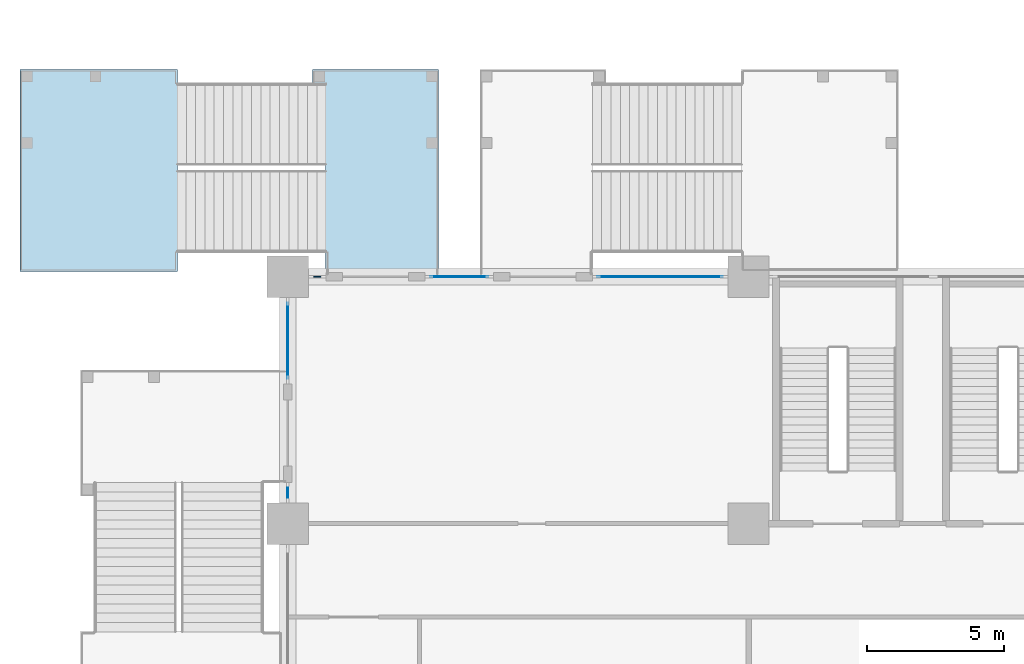
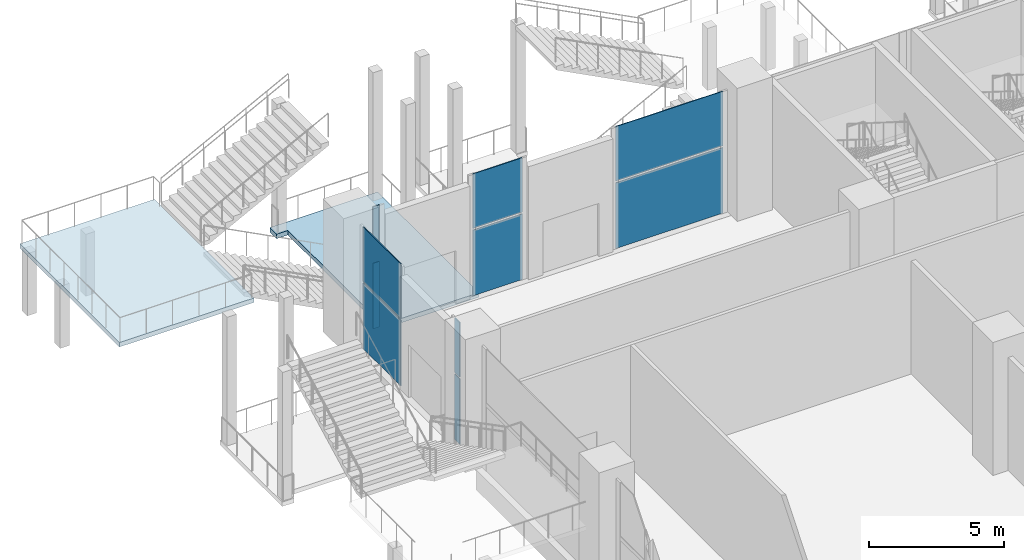
# One storey, part 16 of 47: 10 plates, 2 slabs, 6 elements without a shape of their own.
"""IFC4 building model written with IfcOpenShell, lengths in metres."""

from ifc_helpers import new_model, si_unit, direction, frame, origin, origin_2d, place, context, subcontext, project, spatial, polyline, rectangle, outline, extrude, material, layer, layer_set, type_object, element, aggregate, save


model = new_model("IFC4")

# Units and contexts
model_context = context("Model", 3, precision=1e-05, world=origin(), true_north=direction((0.0, 1.0)))
body_context = subcontext(model_context, "Body", "Model", "MODEL_VIEW")
ifc_project = project(units=[si_unit("LENGTHUNIT", "METRE"), si_unit("AREAUNIT", "SQUARE_METRE"), si_unit("VOLUMEUNIT", "CUBIC_METRE"), si_unit("PLANEANGLEUNIT", "RADIAN"), si_unit("MASSUNIT", "GRAM", prefix="KILO")], contexts=[model_context])

# Site, building, storey
site_placement = place(None, origin())
site = spatial("IfcSite", under=ifc_project, at=site_placement, CompositionType="ELEMENT")
building_placement = place(site_placement, origin())
building = spatial("IfcBuilding", under=site, at=building_placement, Name="Candeia Pilgrim Tower and Theatre", CompositionType="ELEMENT")
storey_placement = place(building_placement, frame((0.0, 0.0, 23.0)))
storey = spatial("IfcBuildingStorey", under=building, at=storey_placement, Name="L03", CompositionType="ELEMENT", Elevation=23.0)

# Curtain wall, plates
ifc_material_1 = material(Name="Aluminium framed podium glazing", Category="aluminium")
curtain_wall_type = type_object("IfcCurtainWallType", Name="CW-P curtain wall", PredefinedType="NOTDEFINED", material=ifc_material_1)
curtain_wall_1_placement = place(storey_placement, origin())
curtain_wall_1 = element("IfcCurtainWall", 1, at=curtain_wall_1_placement, inside=storey, type_object=curtain_wall_type, Name="Curtain wall CW-P L03.050", PredefinedType="NOTDEFINED")
ifc_material_2 = material(Name="Laminated low-iron glass 2 x 8 mm", Category="glass")
ifc_layer_1 = layer(ifc_material_2, 0.035888671875)
ifc_layer_set_1 = layer_set([ifc_layer_1], Name="CW-P glass panel 36")
plate_type = type_object("IfcPlateType", Name="CW-P glass panel 36", PredefinedType="CURTAIN_PANEL", material=ifc_layer_set_1)
plate_1_placement = place(storey_placement, frame((58.800048828125, 136.925048828125, 0.0), z_axis=(0.0, 0.0, 1.0), x_axis=(0.0, 1.0, 0.0)))
plate_1 = element("IfcPlate", 2, at=plate_1_placement, type_object=plate_type, Name="CW-P panel 1.1", PredefinedType="CURTAIN_PANEL", context=body_context, shape_type="SweptSolid", body=[
    extrude(rectangle(XDim=0.3701171875, YDim=0.035888671875, at=origin_2d()), origin(), (0.0, 0.0, 1.0), 2.9599609375),
])
plate_2_placement = place(storey_placement, frame((58.800048828125, 136.925048828125, 3.0400390625), z_axis=(0.0, 0.0, 1.0), x_axis=(0.0, 1.0, 0.0)))
plate_2 = element("IfcPlate", 3, at=plate_2_placement, type_object=plate_type, Name="CW-P panel 1.2", PredefinedType="CURTAIN_PANEL", context=body_context, shape_type="SweptSolid", body=[
    extrude(rectangle(XDim=0.3701171875, YDim=0.035888671875, at=origin_2d()), origin(), (0.0, 0.0, 1.0), 2.4599609375),
])
aggregate(curtain_wall_1, [plate_1, plate_2])

curtain_wall_2_placement = place(storey_placement, origin())
curtain_wall_2 = element("IfcCurtainWall", 4, at=curtain_wall_2_placement, inside=storey, type_object=curtain_wall_type, Name="Curtain wall CW-P L03.051", PredefinedType="NOTDEFINED")
plate_3_placement = place(storey_placement, frame((58.800048828125, 142.47509765625, 0.0), z_axis=(0.0, 0.0, 1.0), x_axis=(0.0, 1.0, 0.0)))
plate_3 = element("IfcPlate", 5, at=plate_3_placement, type_object=plate_type, Name="CW-P panel 1.1", PredefinedType="CURTAIN_PANEL", context=body_context, shape_type="SweptSolid", body=[
    extrude(rectangle(XDim=2.77001953125, YDim=0.035888671875, at=origin_2d()), origin(), (0.0, 0.0, 1.0), 2.9599609375),
])
plate_4_placement = place(storey_placement, frame((58.800048828125, 142.47509765625, 3.0400390625), z_axis=(0.0, 0.0, 1.0), x_axis=(0.0, 1.0, 0.0)))
plate_4 = element("IfcPlate", 6, at=plate_4_placement, type_object=plate_type, Name="CW-P panel 1.2", PredefinedType="CURTAIN_PANEL", context=body_context, shape_type="SweptSolid", body=[
    extrude(rectangle(XDim=2.77001953125, YDim=0.035888671875, at=origin_2d()), origin(), (0.0, 0.0, 1.0), 2.4599609375),
])
aggregate(curtain_wall_2, [plate_3, plate_4])

curtain_wall_3_placement = place(storey_placement, origin())
curtain_wall_3 = element("IfcCurtainWall", 7, at=curtain_wall_3_placement, inside=storey, type_object=curtain_wall_type, Name="Curtain wall CW-P L03.100", PredefinedType="NOTDEFINED")
plate_5_placement = place(storey_placement, frame((59.875, 144.800048828125, 0.0), z_axis=(0.0, 0.0, 1.0), x_axis=(1.0, 0.0, 0.0)))
plate_5 = element("IfcPlate", 8, at=plate_5_placement, type_object=plate_type, Name="CW-P panel 1.1", PredefinedType="CURTAIN_PANEL", context=body_context, shape_type="SweptSolid", body=[
    extrude(rectangle(XDim=0.27001953125, YDim=0.035888671875, at=origin_2d()), origin(), (0.0, 0.0, 1.0), 2.9599609375),
])
plate_6_placement = place(storey_placement, frame((59.875, 144.800048828125, 3.0400390625), z_axis=(0.0, 0.0, 1.0), x_axis=(1.0, 0.0, 0.0)))
plate_6 = element("IfcPlate", 9, at=plate_6_placement, type_object=plate_type, Name="CW-P panel 1.2", PredefinedType="CURTAIN_PANEL", context=body_context, shape_type="SweptSolid", body=[
    extrude(rectangle(XDim=0.27001953125, YDim=0.035888671875, at=origin_2d()), origin(), (0.0, 0.0, 1.0), 2.4599609375),
])
aggregate(curtain_wall_3, [plate_5, plate_6])

curtain_wall_4_placement = place(storey_placement, origin())
curtain_wall_4 = element("IfcCurtainWall", 10, at=curtain_wall_4_placement, inside=storey, type_object=curtain_wall_type, Name="Curtain wall CW-P L03.101", PredefinedType="NOTDEFINED")
plate_7_placement = place(storey_placement, frame((65.050048828125, 144.800048828125, 0.0), z_axis=(0.0, 0.0, 1.0), x_axis=(1.0, 0.0, 0.0)))
plate_7 = element("IfcPlate", 11, at=plate_7_placement, type_object=plate_type, Name="CW-P panel 1.1", PredefinedType="CURTAIN_PANEL", context=body_context, shape_type="SweptSolid", body=[
    extrude(rectangle(XDim=2.1201171875, YDim=0.035888671875, at=origin_2d()), origin(), (0.0, 0.0, 1.0), 2.9599609375),
])
plate_8_placement = place(storey_placement, frame((65.050048828125, 144.800048828125, 3.0400390625), z_axis=(0.0, 0.0, 1.0), x_axis=(1.0, 0.0, 0.0)))
plate_8 = element("IfcPlate", 12, at=plate_8_placement, type_object=plate_type, Name="CW-P panel 1.2", PredefinedType="CURTAIN_PANEL", context=body_context, shape_type="SweptSolid", body=[
    extrude(rectangle(XDim=2.1201171875, YDim=0.035888671875, at=origin_2d()), origin(), (0.0, 0.0, 1.0), 2.4599609375),
])
aggregate(curtain_wall_4, [plate_7, plate_8])

curtain_wall_5_placement = place(storey_placement, origin())
curtain_wall_5 = element("IfcCurtainWall", 13, at=curtain_wall_5_placement, inside=storey, type_object=curtain_wall_type, Name="Curtain wall CW-P L03.102", PredefinedType="NOTDEFINED")
plate_9_placement = place(storey_placement, frame((72.375, 144.800048828125, 0.0), z_axis=(0.0, 0.0, 1.0), x_axis=(1.0, 0.0, 0.0)))
plate_9 = element("IfcPlate", 14, at=plate_9_placement, type_object=plate_type, Name="CW-P panel 1.1", PredefinedType="CURTAIN_PANEL", context=body_context, shape_type="SweptSolid", body=[
    extrude(rectangle(XDim=4.570068359375, YDim=0.035888671875, at=origin_2d()), origin(), (0.0, 0.0, 1.0), 2.9599609375),
])
plate_10_placement = place(storey_placement, frame((72.375, 144.800048828125, 3.0400390625), z_axis=(0.0, 0.0, 1.0), x_axis=(1.0, 0.0, 0.0)))
plate_10 = element("IfcPlate", 15, at=plate_10_placement, type_object=plate_type, Name="CW-P panel 1.2", PredefinedType="CURTAIN_PANEL", context=body_context, shape_type="SweptSolid", body=[
    extrude(rectangle(XDim=4.570068359375, YDim=0.035888671875, at=origin_2d()), origin(), (0.0, 0.0, 1.0), 2.4599609375),
])
aggregate(curtain_wall_5, [plate_9, plate_10])

# Slab
ifc_material_3 = material(Name="Concrete C40/50", Category="concrete")
ifc_layer_2 = layer(ifc_material_3, 0.199951171875)
ifc_layer_set_2 = layer_set([ifc_layer_2], Name="SL-EXT stair landing")
slab_type = type_object("IfcSlabType", Name="SL-EXT stair landing", PredefinedType="LANDING", material=ifc_layer_set_2)
slab_1_placement = place(storey_placement, frame((0.0, 0.0, -0.199951171875)))
element("IfcSlab", 16, at=slab_1_placement, inside=storey, type_object=slab_type, Name="L03 External escape stair ES3 floor landing", PredefinedType="LANDING", context=body_context, shape_type="SweptSolid", body=[
    extrude(outline(polyline([(64.300048828125, 144.85009765625), (60.179931640625, 144.85009765625), (60.179931640625, 151.85009765625), (59.699951171875, 151.85009765625), (59.699951171875, 152.35009765625), (64.300048828125, 152.35009765625), (64.300048828125, 144.85009765625)])), origin(), (0.0, 0.0, 1.0), 0.199951171875),
])

# Stair, slab
stair_type = type_object("IfcStairType", Name="ST-EXT external escape stair", PredefinedType="HALF_TURN_STAIR", material=ifc_material_3)
stair_placement = place(storey_placement, origin())
stair = element("IfcStair", 17, at=stair_placement, inside=storey, type_object=stair_type, Name="L03 External escape stair ES3", PredefinedType="HALF_TURN_STAIR")
slab_2_placement = place(storey_placement, frame((0.0, 0.0, 2.800048828125)))
slab_2 = element("IfcSlab", 18, at=slab_2_placement, type_object=slab_type, Name="L03 External escape stair ES3 landing", PredefinedType="LANDING", context=body_context, shape_type="SweptSolid", body=[
    extrude(outline(polyline([(54.780029296875, 145.0), (49.0400390625, 145.0), (49.0400390625, 152.35009765625), (54.780029296875, 152.35009765625), (54.780029296875, 145.0)])), origin(), (0.0, 0.0, 1.0), 0.199951171875),
])
aggregate(stair, [slab_2])

save(model, "model.ifc")
